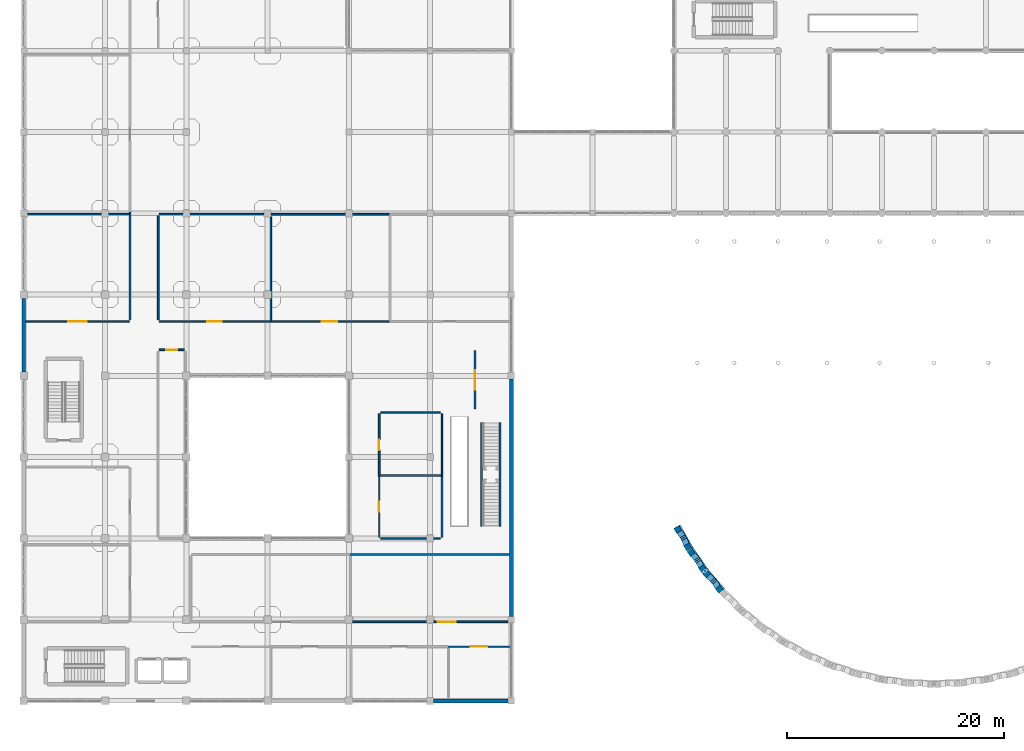
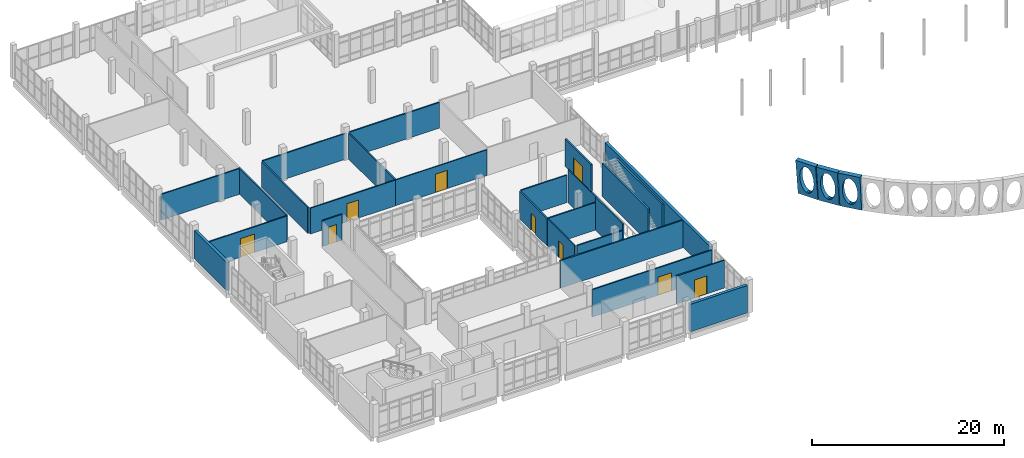
# One storey, part 139 of 164: 29 walls, 9 doors, 12 openings.
"""IFC4 building model written with IfcOpenShell, lengths in metres."""

from ifc_helpers import new_model, si_unit, direction, frame, frame_2d, origin, place, context, subcontext, project, spatial, polyline, rectangle, outline, extrude, material, layer, layer_set, type_object, element, fill, save


model = new_model("IFC4")

# Units and contexts
model_context = context("Model", 3, precision=1e-05, world=origin(), true_north=direction((0.0, 1.0)))
body_context = subcontext(model_context, "Body", "Model", "MODEL_VIEW")
ifc_project = project(units=[si_unit("LENGTHUNIT", "METRE"), si_unit("AREAUNIT", "SQUARE_METRE"), si_unit("VOLUMEUNIT", "CUBIC_METRE"), si_unit("PLANEANGLEUNIT", "RADIAN"), si_unit("MASSUNIT", "GRAM", prefix="KILO")], contexts=[model_context])

# Site, building, storey
site_placement = place(None, origin())
site = spatial("IfcSite", under=ifc_project, at=site_placement, CompositionType="ELEMENT")
building_placement = place(site_placement, origin())
building = spatial("IfcBuilding", under=site, at=building_placement, Name="Mawjan Specialist Oncology Clinic", CompositionType="ELEMENT")
storey_placement = place(building_placement, frame((0.0, 0.0, 5.0)))
storey = spatial("IfcBuildingStorey", under=building, at=storey_placement, Name="L01", CompositionType="ELEMENT", Elevation=5.0)

# Walls
ifc_material_1 = material(Name="Precast concrete C40/50", Category="concrete")
ifc_layer_1 = layer(ifc_material_1, 0.35009765625, Name="Precast concrete C40/50", Category="concrete")
ifc_layer_set_1 = layer_set([ifc_layer_1], Name="Precast concrete C40/50")
wall_type_1 = type_object("IfcWallType", Name="EW-350", PredefinedType="SOLIDWALL", material=ifc_layer_set_1)
wall_1_placement = place(storey_placement, frame((45.0, 30.5, 0.0), z_axis=(0.0, 0.0, 1.0), x_axis=(0.0, -1.0, 0.0)))
element("IfcWall", 1, at=wall_1_placement, inside=storey, type_object=wall_type_1, Name="L01 Coral-Limestone Exterior Wall EW-L01-112", PredefinedType="SOLIDWALL", context=body_context, shape_type="SweptSolid", body=[
    extrude(rectangle(XDim=21.89990234375, YDim=0.35009765625, at=frame_2d((10.949951171875, 0.0))), origin(), (0.0, 0.0, 1.0), 3.485107421875),
])
wall_2_placement = place(storey_placement, frame((44.699951171875, 0.800048828125, 0.0), z_axis=(0.0, 0.0, 1.0), x_axis=(-1.0, 0.0, 0.0)))
element("IfcWall", 2, at=wall_2_placement, inside=storey, type_object=wall_type_1, Name="L01 Coral-Limestone Exterior Wall EW-L01-113", PredefinedType="SOLIDWALL", context=body_context, shape_type="SweptSolid", body=[
    extrude(rectangle(XDim=6.875, YDim=0.35009765625, at=frame_2d((3.4375, 0.0))), origin(), (0.0, 0.0, 1.0), 3.485107421875),
])
wall_3_placement = place(storey_placement, frame((0.0, 31.14990234375, 0.0), z_axis=(0.0, 0.0, 1.0), x_axis=(0.0, 1.0, 0.0)))
element("IfcWall", 3, at=wall_3_placement, inside=storey, type_object=wall_type_1, Name="L01 Coral-Limestone Exterior Wall EW-L01-118", PredefinedType="SOLIDWALL", context=body_context, shape_type="SweptSolid", body=[
    extrude(rectangle(XDim=6.800048828125, YDim=0.35009765625, at=frame_2d((3.39990234375, 0.0))), origin(), (0.0, 0.0, 1.0), 3.534912109375),
])

# Wall, opening
ifc_material_2 = material(Name="Concrete C45/55", Category="concrete")
ifc_layer_2 = layer(ifc_material_2, 0.550048828125, Name="Concrete C45/55", Category="concrete")
ifc_layer_set_2 = layer_set([ifc_layer_2], Name="Concrete C45/55")
wall_type_2 = type_object("IfcWallType", Name="EW-ARC550", PredefinedType="SOLIDWALL", material=ifc_layer_set_2)
wall_4_placement = place(storey_placement, frame((61.52197265625, 14.8349609375, 0.0), z_axis=(0.0, 0.0, 1.0), x_axis=(-0.494311253671, 0.869284984625, 0.0)))
wall_4 = element("IfcWall", 4, at=wall_4_placement, inside=storey, type_object=wall_type_2, Name="Curved Stone-Arc Wall L01 Chord 01", PredefinedType="SOLIDWALL", context=body_context, shape_type="SweptSolid", body=[
    extrude(outline(polyline([(-0.27490234375, 0.0), (0.27490234375, 0.0), (0.78759765625, 4.5), (0.23779296875, 4.5), (-0.27490234375, 0.0)])), frame((0.0, 0.0, 0.0), z_axis=(1.0, 0.0, 0.0), x_axis=(0.0, 1.0, 0.0)), (0.0, 0.0, 1.0), 2.40380859375),
])
opening_1_placement = place(wall_4_placement, origin())
element("IfcOpeningElement", 5, at=opening_1_placement, cuts=wall_4, Name="Elliptical sky opening 1", PredefinedType="OPENING", context=body_context, shape_type="SweptSolid", body=[
    extrude(outline(polyline([(2.0419921875, 2.25), (2.02587890625, 2.597900390625), (1.97802734375, 2.932373046875), (1.900390625, 3.240478515625), (1.7958984375, 3.5107421875), (1.66845703125, 3.732421875), (1.5234375, 3.897216796875), (1.36572265625, 3.998779296875), (1.201904296875, 4.032958984375), (1.0380859375, 3.998779296875), (0.88037109375, 3.897216796875), (0.735107421875, 3.732421875), (0.60791015625, 3.5107421875), (0.50341796875, 3.240478515625), (0.42578125, 2.932373046875), (0.3779296875, 2.597900390625), (0.36181640625, 2.25), (0.3779296875, 1.902099609375), (0.42578125, 1.567626953125), (0.50341796875, 1.259521484375), (0.60791015625, 0.9892578125), (0.735107421875, 0.767578125), (0.88037109375, 0.602783203125), (1.0380859375, 0.501220703125), (1.201904296875, 0.467041015625), (1.36572265625, 0.501220703125), (1.5234375, 0.602783203125), (1.66845703125, 0.767578125), (1.7958984375, 0.9892578125), (1.900390625, 1.259521484375), (1.97802734375, 1.567626953125), (2.02587890625, 1.902099609375), (2.0419921875, 2.25)])), frame((0.0, 0.8076171875, 0.0), z_axis=(0.0, -1.0, 0.0), x_axis=(1.0, 0.0, 0.0)), (0.0, 0.0, 1.0), 1.102783203125),
])

wall_5_placement = place(storey_placement, frame((62.912353515625, 12.837646484375, 0.0), z_axis=(0.0, 0.0, 1.0), x_axis=(-0.571784376148, 0.820403941478, 0.0)))
wall_5 = element("IfcWall", 6, at=wall_5_placement, inside=storey, type_object=wall_type_2, Name="Curved Stone-Arc Wall L01 Chord 02", PredefinedType="SOLIDWALL", context=body_context, shape_type="SweptSolid", body=[
    extrude(outline(polyline([(-0.27490234375, 0.0), (0.27490234375, 0.0), (0.78759765625, 4.5), (0.23779296875, 4.5), (-0.27490234375, 0.0)])), frame((0.0, 0.0, 0.0), z_axis=(1.0, 0.0, 0.0), x_axis=(0.0, 1.0, 0.0)), (0.0, 0.0, 1.0), 2.40380859375),
])
opening_2_placement = place(wall_5_placement, origin())
element("IfcOpeningElement", 7, at=opening_2_placement, cuts=wall_5, Name="Elliptical sky opening 1", PredefinedType="OPENING", context=body_context, shape_type="SweptSolid", body=[
    extrude(outline(polyline([(2.0419921875, 2.25), (2.02587890625, 2.597900390625), (1.97802734375, 2.932373046875), (1.900390625, 3.240478515625), (1.7958984375, 3.5107421875), (1.66845703125, 3.732421875), (1.5234375, 3.897216796875), (1.36572265625, 3.998779296875), (1.201904296875, 4.032958984375), (1.0380859375, 3.998779296875), (0.88037109375, 3.897216796875), (0.735107421875, 3.732421875), (0.60791015625, 3.5107421875), (0.50341796875, 3.240478515625), (0.42578125, 2.932373046875), (0.3779296875, 2.597900390625), (0.36181640625, 2.25), (0.3779296875, 1.902099609375), (0.42578125, 1.567626953125), (0.50341796875, 1.259521484375), (0.60791015625, 0.9892578125), (0.735107421875, 0.767578125), (0.88037109375, 0.602783203125), (1.0380859375, 0.501220703125), (1.201904296875, 0.467041015625), (1.36572265625, 0.501220703125), (1.5234375, 0.602783203125), (1.66845703125, 0.767578125), (1.7958984375, 0.9892578125), (1.900390625, 1.259521484375), (1.97802734375, 1.567626953125), (2.02587890625, 1.902099609375), (2.0419921875, 2.25)])), frame((0.0, 0.8076171875, 0.0), z_axis=(0.0, -1.0, 0.0), x_axis=(1.0, 0.0, 0.0)), (0.0, 0.0, 1.0), 1.102783203125),
])

wall_6_placement = place(storey_placement, frame((64.479736328125, 10.97607421875, 0.0), z_axis=(0.0, 0.0, 1.0), x_axis=(-0.644529738011, 0.764579241687, 0.0)))
wall_6 = element("IfcWall", 8, at=wall_6_placement, inside=storey, type_object=wall_type_2, Name="Curved Stone-Arc Wall L01 Chord 03", PredefinedType="SOLIDWALL", context=body_context, shape_type="SweptSolid", body=[
    extrude(outline(polyline([(-0.27490234375, 0.0), (0.27490234375, 0.0), (0.78759765625, 4.5), (0.23779296875, 4.5), (-0.27490234375, 0.0)])), frame((0.0, 0.0, 0.0), z_axis=(1.0, 0.0, 0.0), x_axis=(0.0, 1.0, 0.0)), (0.0, 0.0, 1.0), 2.40380859375),
])
opening_3_placement = place(wall_6_placement, origin())
element("IfcOpeningElement", 9, at=opening_3_placement, cuts=wall_6, Name="Elliptical sky opening 1", PredefinedType="OPENING", context=body_context, shape_type="SweptSolid", body=[
    extrude(outline(polyline([(2.0419921875, 2.25), (2.02587890625, 2.597900390625), (1.97802734375, 2.932373046875), (1.900390625, 3.240478515625), (1.7958984375, 3.5107421875), (1.66845703125, 3.732421875), (1.5234375, 3.897216796875), (1.36572265625, 3.998779296875), (1.201904296875, 4.032958984375), (1.0380859375, 3.998779296875), (0.88037109375, 3.897216796875), (0.735107421875, 3.732421875), (0.60791015625, 3.5107421875), (0.50341796875, 3.240478515625), (0.42578125, 2.932373046875), (0.3779296875, 2.597900390625), (0.36181640625, 2.25), (0.3779296875, 1.902099609375), (0.42578125, 1.567626953125), (0.50341796875, 1.259521484375), (0.60791015625, 0.9892578125), (0.735107421875, 0.767578125), (0.88037109375, 0.602783203125), (1.0380859375, 0.501220703125), (1.201904296875, 0.467041015625), (1.36572265625, 0.501220703125), (1.5234375, 0.602783203125), (1.66845703125, 0.767578125), (1.7958984375, 0.9892578125), (1.900390625, 1.259521484375), (1.97802734375, 1.567626953125), (2.02587890625, 1.902099609375), (2.0419921875, 2.25)])), frame((0.0, 0.8076171875, 0.0), z_axis=(0.0, -1.0, 0.0), x_axis=(1.0, 0.0, 0.0)), (0.0, 0.0, 1.0), 1.102783203125),
])

# Wall, opening, door
ifc_material_3 = material(Name="Moisture-resistant washroom partition", Category="gypsum")
ifc_layer_3 = layer(ifc_material_3, 0.125, Name="Moisture-resistant washroom partition", Category="gypsum")
ifc_layer_set_3 = layer_set([ifc_layer_3], Name="Moisture-resistant washroom partition")
wall_type_3 = type_object("IfcWallType", Name="WP-125", PredefinedType="PARTITIONING", material=ifc_layer_set_3)
wall_7_placement = place(storey_placement, frame((22.72705078125, 35.800048828125, 0.0), z_axis=(0.0, 0.0, 1.0), x_axis=(1.0, 0.0, 0.0)))
wall_7 = element("IfcWall", 10, at=wall_7_placement, inside=storey, type_object=wall_type_3, Name="L01 Interior Partition W-INT-L01-107-C", PredefinedType="PARTITIONING", context=body_context, shape_type="SweptSolid", body=[
    extrude(rectangle(XDim=10.988037109375, YDim=0.125, at=frame_2d((5.494140625, 0.0))), origin(), (0.0, 0.0, 1.0), 3.264892578125),
])
opening_4_placement = place(wall_7_placement, frame((4.77392578125, 0.0, 0.0)))
opening_4 = element("IfcOpeningElement", 11, at=opening_4_placement, cuts=wall_7, Name="Opening DM-CT", PredefinedType="OPENING", context=body_context, shape_type="SweptSolid", body=[
    extrude(rectangle(XDim=1.43994140625, YDim=2.320068359375, at=frame_2d((0.719970703125, 1.16015625))), frame((0.0, 0.074462890625, 0.0), z_axis=(0.0, -1.0, 0.0), x_axis=(1.0, 0.0, 0.0)), (0.0, 0.0, 1.0), 0.14892578125),
])
ifc_material_4 = material(Name="Acoustic laminate hospital door leaf", Category="wood")
door_type_1 = type_object("IfcDoorType", Name="DM-CT", OperationType="NOTDEFINED", PredefinedType="DOOR", material=ifc_material_4)
door_1_placement = place(opening_4_placement, origin())
door_1 = element("IfcDoor", 12, at=door_1_placement, inside=storey, type_object=door_type_1, Name="L01 Cardiology Consulting Room Door", OperationType="SINGLE_SWING_RIGHT", OverallHeight=2.320068359375, OverallWidth=1.43994140625, PredefinedType="DOOR", context=body_context, shape_type="SweptSolid", body=[
    extrude(rectangle(XDim=1.43994140625, YDim=2.320068359375, at=frame_2d((0.719970703125, 1.16015625))), frame((0.0, 0.02490234375, 0.0), z_axis=(0.0, -1.0, 0.0), x_axis=(1.0, 0.0, 0.0)), (0.0, 0.0, 1.0), 0.050048828125),
])
fill(opening_4, door_1)

wall_8_placement = place(storey_placement, frame((32.800048828125, 15.885009765625, 0.0), z_axis=(0.0, 0.0, 1.0), x_axis=(0.0, 1.0, 0.0)))
wall_8 = element("IfcWall", 13, at=wall_8_placement, inside=storey, type_object=wall_type_3, Name="L01 Interior Partition W-INT-L01-109-V", PredefinedType="PARTITIONING", context=body_context, shape_type="SweptSolid", body=[
    extrude(rectangle(XDim=5.6298828125, YDim=0.125, at=frame_2d((2.81494140625, 0.0))), origin(), (0.0, 0.0, 1.0), 3.485107421875),
])
opening_5_placement = place(wall_8_placement, frame((2.35498046875, 0.0, 0.0)))
opening_5 = element("IfcOpeningElement", 14, at=opening_5_placement, cuts=wall_8, Name="Opening DI-92", PredefinedType="OPENING", context=body_context, shape_type="SweptSolid", body=[
    extrude(rectangle(XDim=0.919921875, YDim=2.10009765625, at=frame_2d((0.4599609375, 1.050048828125))), frame((0.0, 0.074462890625, 0.0), z_axis=(0.0, -1.0, 0.0), x_axis=(1.0, 0.0, 0.0)), (0.0, 0.0, 1.0), 0.14892578125),
])
ifc_material_5 = material(Name="Acoustic laminate hospital door leaf", Category="wood")
door_type_2 = type_object("IfcDoorType", Name="DI-92", OperationType="NOTDEFINED", PredefinedType="DOOR", material=ifc_material_5)
door_2_placement = place(opening_5_placement, origin())
door_2 = element("IfcDoor", 15, at=door_2_placement, inside=storey, type_object=door_type_2, Name="L01 Holter Monitoring Room Door", OperationType="SINGLE_SWING_LEFT", OverallHeight=2.10009765625, OverallWidth=0.919921875, PredefinedType="DOOR", context=body_context, shape_type="SweptSolid", body=[
    extrude(rectangle(XDim=0.919921875, YDim=2.10009765625, at=frame_2d((0.4599609375, 1.050048828125))), frame((0.0, 0.02490234375, 0.0), z_axis=(0.0, -1.0, 0.0), x_axis=(1.0, 0.0, 0.0)), (0.0, 0.0, 1.0), 0.050048828125),
])
fill(opening_5, door_2)

# Wall
wall_9_placement = place(storey_placement, frame((38.60009765625, 21.527099609375, 0.0), z_axis=(0.0, 0.0, 1.0), x_axis=(0.0, 1.0, 0.0)))
element("IfcWall", 16, at=wall_9_placement, inside=storey, type_object=wall_type_3, Name="L01 Interior Partition W-INT-L01-110-VR", PredefinedType="PARTITIONING", context=body_context, shape_type="SweptSolid", body=[
    extrude(rectangle(XDim=5.787841796875, YDim=0.125, at=frame_2d((2.89404296875, 0.0))), origin(), (0.0, 0.0, 1.0), 4.199951171875),
])

# Wall, opening, door
ifc_material_6 = material(Name="Acoustic gypsum clinical partition", Category="gypsum")
ifc_layer_4 = layer(ifc_material_6, 0.14990234375, Name="Acoustic gypsum clinical partition", Category="gypsum")
ifc_layer_set_4 = layer_set([ifc_layer_4], Name="Acoustic gypsum clinical partition")
wall_type_4 = type_object("IfcWallType", Name="WP-150", PredefinedType="PARTITIONING", material=ifc_layer_set_4)
wall_10_placement = place(storey_placement, frame((30.362060546875, 8.10009765625, 0.0), z_axis=(0.0, 0.0, 1.0), x_axis=(1.0, 0.0, 0.0)))
wall_10 = element("IfcWall", 17, at=wall_10_placement, inside=storey, type_object=wall_type_4, Name="L01 Interior Partition W-INT-L01-0122-C", PredefinedType="PARTITIONING", context=body_context, shape_type="SweptSolid", body=[
    extrude(rectangle(XDim=14.325927734375, YDim=0.14990234375, at=frame_2d((7.1630859375, 0.0))), origin(), (0.0, 0.0, 1.0), 3.485107421875),
])
opening_6_placement = place(wall_10_placement, frame((7.859130859375, 0.0, 0.0)))
opening_6 = element("IfcOpeningElement", 18, at=opening_6_placement, cuts=wall_10, Name="Opening DC-165", PredefinedType="OPENING", context=body_context, shape_type="SweptSolid", body=[
    extrude(rectangle(XDim=1.64990234375, YDim=2.320068359375, at=frame_2d((0.824951171875, 1.16015625))), frame((0.0, 0.0869140625, 0.0), z_axis=(0.0, -1.0, 0.0), x_axis=(1.0, 0.0, 0.0)), (0.0, 0.0, 1.0), 0.173828125),
])
ifc_material_7 = material(Name="Acoustic laminate hospital door leaf", Category="wood")
door_type_3 = type_object("IfcDoorType", Name="DC-165", OperationType="NOTDEFINED", PredefinedType="DOOR", material=ifc_material_7)
door_3_placement = place(opening_6_placement, origin())
door_3 = element("IfcDoor", 19, at=door_3_placement, inside=storey, type_object=door_type_3, Name="L01 Oncology Nurse Counseling Room Door", OperationType="SINGLE_SWING_RIGHT", OverallHeight=2.320068359375, OverallWidth=1.64990234375, PredefinedType="DOOR", context=body_context, shape_type="SweptSolid", body=[
    extrude(rectangle(XDim=1.64990234375, YDim=2.320068359375, at=frame_2d((0.824951171875, 1.16015625))), frame((0.0, 0.02490234375, 0.0), z_axis=(0.0, -1.0, 0.0), x_axis=(1.0, 0.0, 0.0)), (0.0, 0.0, 1.0), 0.050048828125),
])
fill(opening_6, door_3)

wall_11_placement = place(storey_placement, frame((0.18701171875, 35.800048828125, 0.0), z_axis=(0.0, 0.0, 1.0), x_axis=(1.0, 0.0, 0.0)))
wall_11 = element("IfcWall", 20, at=wall_11_placement, inside=storey, type_object=wall_type_4, Name="L01 Interior Partition W-INT-L01-105-C", PredefinedType="PARTITIONING", context=body_context, shape_type="SweptSolid", body=[
    extrude(rectangle(XDim=9.528076171875, YDim=0.14990234375, at=frame_2d((4.76416015625, 0.0))), origin(), (0.0, 0.0, 1.0), 3.264892578125),
])
opening_7_placement = place(wall_11_placement, frame((3.904052734375, 0.0, 0.0)))
opening_7 = element("IfcOpeningElement", 21, at=opening_7_placement, cuts=wall_11, Name="Opening DC-172", PredefinedType="OPENING", context=body_context, shape_type="SweptSolid", body=[
    extrude(rectangle(XDim=1.719970703125, YDim=2.340087890625, at=frame_2d((0.85986328125, 1.169921875))), frame((0.0, 0.0869140625, 0.0), z_axis=(0.0, -1.0, 0.0), x_axis=(1.0, 0.0, 0.0)), (0.0, 0.0, 1.0), 0.173828125),
])
ifc_material_8 = material(Name="Acoustic laminate hospital door leaf", Category="wood")
door_type_4 = type_object("IfcDoorType", Name="DC-172", OperationType="NOTDEFINED", PredefinedType="DOOR", material=ifc_material_8)
door_4_placement = place(opening_7_placement, origin())
door_4 = element("IfcDoor", 22, at=door_4_placement, inside=storey, type_object=door_type_4, Name="L01 Cardio-Oncology Echocardiography Room Door", OperationType="SINGLE_SWING_LEFT", OverallHeight=2.340087890625, OverallWidth=1.719970703125, PredefinedType="DOOR", context=body_context, shape_type="SweptSolid", body=[
    extrude(rectangle(XDim=1.719970703125, YDim=2.340087890625, at=frame_2d((0.85986328125, 1.169921875))), frame((0.0, 0.02490234375, 0.0), z_axis=(0.0, -1.0, 0.0), x_axis=(1.0, 0.0, 0.0)), (0.0, 0.0, 1.0), 0.050048828125),
])
fill(opening_7, door_4)

wall_12_placement = place(storey_placement, frame((12.485107421875, 35.800048828125, 0.0), z_axis=(0.0, 0.0, 1.0), x_axis=(1.0, 0.0, 0.0)))
wall_12 = element("IfcWall", 23, at=wall_12_placement, inside=storey, type_object=wall_type_4, Name="L01 Interior Partition W-INT-L01-106-C", PredefinedType="PARTITIONING", context=body_context, shape_type="SweptSolid", body=[
    extrude(rectangle(XDim=10.22998046875, YDim=0.14990234375, at=frame_2d((5.114990234375, 0.0))), origin(), (0.0, 0.0, 1.0), 3.264892578125),
])
opening_8_placement = place(wall_12_placement, frame((4.425048828125, 0.0, 0.0)))
opening_8 = element("IfcOpeningElement", 24, at=opening_8_placement, cuts=wall_12, Name="Opening DM-MRI", PredefinedType="OPENING", context=body_context, shape_type="SweptSolid", body=[
    extrude(rectangle(XDim=1.3798828125, YDim=2.300048828125, at=frame_2d((0.68994140625, 1.14990234375))), frame((0.0, 0.0869140625, 0.0), z_axis=(0.0, -1.0, 0.0), x_axis=(1.0, 0.0, 0.0)), (0.0, 0.0, 1.0), 0.173828125),
])
ifc_material_9 = material(Name="Acoustic laminate hospital door leaf", Category="wood")
door_type_5 = type_object("IfcDoorType", Name="DM-MRI", OperationType="NOTDEFINED", PredefinedType="DOOR", material=ifc_material_9)
door_5_placement = place(opening_8_placement, origin())
door_5 = element("IfcDoor", 25, at=door_5_placement, inside=storey, type_object=door_type_5, Name="L01 Stress ECG Examination Suite Door", OperationType="SINGLE_SWING_LEFT", OverallHeight=2.300048828125, OverallWidth=1.3798828125, PredefinedType="DOOR", context=body_context, shape_type="SweptSolid", body=[
    extrude(rectangle(XDim=1.3798828125, YDim=2.300048828125, at=frame_2d((0.68994140625, 1.14990234375))), frame((0.0, 0.02490234375, 0.0), z_axis=(0.0, -1.0, 0.0), x_axis=(1.0, 0.0, 0.0)), (0.0, 0.0, 1.0), 0.050048828125),
])
fill(opening_8, door_5)

# Walls
wall_13_placement = place(storey_placement, frame((0.33203125, 45.719970703125, 0.0), z_axis=(0.0, 0.0, 1.0), x_axis=(1.0, 0.0, 0.0)))
element("IfcWall", 26, at=wall_13_placement, inside=storey, type_object=wall_type_4, Name="L01 Interior Partition W-INT-L01-105-R", PredefinedType="PARTITIONING", context=body_context, shape_type="SweptSolid", body=[
    extrude(rectangle(XDim=9.383056640625, YDim=0.14990234375, at=frame_2d((4.69140625, 0.0))), origin(), (0.0, 0.0, 1.0), 3.264892578125),
])
wall_14_placement = place(storey_placement, frame((12.485107421875, 45.719970703125, 0.0), z_axis=(0.0, 0.0, 1.0), x_axis=(1.0, 0.0, 0.0)))
element("IfcWall", 27, at=wall_14_placement, inside=storey, type_object=wall_type_4, Name="L01 Interior Partition W-INT-L01-106-R", PredefinedType="PARTITIONING", context=body_context, shape_type="SweptSolid", body=[
    extrude(rectangle(XDim=10.06298828125, YDim=0.14990234375, at=frame_2d((5.031494140625, 0.0))), origin(), (0.0, 0.0, 1.0), 3.264892578125),
])
wall_15_placement = place(storey_placement, frame((22.800048828125, 35.87451171875, 0.0), z_axis=(0.0, 0.0, 1.0), x_axis=(0.0, 1.0, 0.0)))
element("IfcWall", 28, at=wall_15_placement, inside=storey, type_object=wall_type_4, Name="L01 Interior Partition W-INT-L01-106-D", PredefinedType="PARTITIONING", context=body_context, shape_type="SweptSolid", body=[
    extrude(rectangle(XDim=9.58837890625, YDim=0.14990234375, at=frame_2d((4.794189453125, 0.0))), origin(), (0.0, 0.0, 1.0), 3.264892578125),
])
wall_16_placement = place(storey_placement, frame((32.965087890625, 15.800048828125, 0.0), z_axis=(0.0, 0.0, 1.0), x_axis=(1.0, 0.0, 0.0)))
element("IfcWall", 29, at=wall_16_placement, inside=storey, type_object=wall_type_4, Name="L01 Interior Partition W-INT-L01-109-H0", PredefinedType="PARTITIONING", context=body_context, shape_type="SweptSolid", body=[
    extrude(rectangle(XDim=5.469970703125, YDim=0.14990234375, at=frame_2d((2.73486328125, 0.0))), origin(), (0.0, 0.0, 1.0), 3.485107421875),
])
wall_17_placement = place(storey_placement, frame((32.89208984375, 21.60009765625, 0.0), z_axis=(0.0, 0.0, 1.0), x_axis=(1.0, 0.0, 0.0)))
element("IfcWall", 30, at=wall_17_placement, inside=storey, type_object=wall_type_4, Name="L01 Interior Partition W-INT-L01-109-H", PredefinedType="PARTITIONING", context=body_context, shape_type="SweptSolid", body=[
    extrude(rectangle(XDim=5.63330078125, YDim=0.14990234375, at=frame_2d((2.816650390625, 0.0))), origin(), (0.0, 0.0, 1.0), 3.485107421875),
])
wall_18_placement = place(storey_placement, frame((32.965087890625, 27.39990234375, 0.0), z_axis=(0.0, 0.0, 1.0), x_axis=(1.0, 0.0, 0.0)))
element("IfcWall", 31, at=wall_18_placement, inside=storey, type_object=wall_type_4, Name="L01 Interior Partition W-INT-L01-110-H", PredefinedType="PARTITIONING", context=body_context, shape_type="SweptSolid", body=[
    extrude(rectangle(XDim=5.469970703125, YDim=0.14990234375, at=frame_2d((2.73486328125, 0.0))), origin(), (0.0, 0.0, 1.0), 3.485107421875),
])

# Wall, opening, door
ifc_material_10 = material(Name="Acoustic clinical twin-stud partition", Category="gypsum")
ifc_layer_5 = layer(ifc_material_10, 0.159912109375, Name="Acoustic clinical twin-stud partition", Category="gypsum")
ifc_layer_set_5 = layer_set([ifc_layer_5], Name="Acoustic clinical twin-stud partition")
wall_type_5 = type_object("IfcWallType", Name="WP-160", PredefinedType="PARTITIONING", material=ifc_layer_set_5)
wall_19_placement = place(storey_placement, frame((39.126953125, 5.800048828125, 0.0), z_axis=(0.0, 0.0, 1.0), x_axis=(1.0, 0.0, 0.0)))
wall_19 = element("IfcWall", 32, at=wall_19_placement, inside=storey, type_object=wall_type_5, Name="L01 Interior Partition W-INT-L01-104-C", PredefinedType="PARTITIONING", context=body_context, shape_type="SweptSolid", body=[
    extrude(rectangle(XDim=5.77099609375, YDim=0.159912109375, at=frame_2d((2.885498046875, 0.0))), origin(), (0.0, 0.0, 1.0), 3.534912109375),
])
opening_9_placement = place(wall_19_placement, frame((2.135498046875, 0.0, 0.0)))
opening_9 = element("IfcOpeningElement", 33, at=opening_9_placement, cuts=wall_19, Name="Opening DC-150", PredefinedType="OPENING", context=body_context, shape_type="SweptSolid", body=[
    extrude(rectangle(XDim=1.5, YDim=2.280029296875, at=frame_2d((0.75, 1.14013671875))), frame((0.0, 0.092041015625, 0.0), z_axis=(0.0, -1.0, 0.0), x_axis=(1.0, 0.0, 0.0)), (0.0, 0.0, 1.0), 0.183837890625),
])
ifc_material_11 = material(Name="Acoustic laminate hospital door leaf", Category="wood")
door_type_6 = type_object("IfcDoorType", Name="DC-150", OperationType="NOTDEFINED", PredefinedType="DOOR", material=ifc_material_11)
door_6_placement = place(opening_9_placement, origin())
door_6 = element("IfcDoor", 34, at=door_6_placement, inside=storey, type_object=door_type_6, Name="L01 Accessible Toilet and Washroom Door", OperationType="SINGLE_SWING_RIGHT", OverallHeight=2.280029296875, OverallWidth=1.5, PredefinedType="DOOR", context=body_context, shape_type="SweptSolid", body=[
    extrude(rectangle(XDim=1.5, YDim=2.280029296875, at=frame_2d((0.75, 1.14013671875))), frame((0.0, 0.02490234375, 0.0), z_axis=(0.0, -1.0, 0.0), x_axis=(1.0, 0.0, 0.0)), (0.0, 0.0, 1.0), 0.050048828125),
])
fill(opening_9, door_6)

wall_20_placement = place(storey_placement, frame((12.485107421875, 33.199951171875, 0.0), z_axis=(0.0, 0.0, 1.0), x_axis=(1.0, 0.0, 0.0)))
wall_20 = element("IfcWall", 35, at=wall_20_placement, inside=storey, type_object=wall_type_5, Name="L01 Interior Partition W-INT-L01-0141-C", PredefinedType="PARTITIONING", context=body_context, shape_type="SweptSolid", body=[
    extrude(rectangle(XDim=2.329833984375, YDim=0.159912109375, at=frame_2d((1.1650390625, 0.0))), origin(), (0.0, 0.0, 1.0), 3.264892578125),
])
opening_10_placement = place(wall_20_placement, frame((0.6650390625, 0.0, 0.0)))
opening_10 = element("IfcOpeningElement", 36, at=opening_10_placement, cuts=wall_20, Name="Opening DA-100", PredefinedType="OPENING", context=body_context, shape_type="SweptSolid", body=[
    extrude(rectangle(XDim=1.0, YDim=2.219970703125, at=frame_2d((0.5, 1.10986328125))), frame((0.0, 0.092041015625, 0.0), z_axis=(0.0, -1.0, 0.0), x_axis=(1.0, 0.0, 0.0)), (0.0, 0.0, 1.0), 0.183837890625),
])
ifc_material_12 = material(Name="Acoustic laminate hospital door leaf", Category="wood")
door_type_7 = type_object("IfcDoorType", Name="DA-100", OperationType="NOTDEFINED", PredefinedType="DOOR", material=ifc_material_12)
door_7_placement = place(opening_10_placement, origin())
door_7 = element("IfcDoor", 37, at=door_7_placement, inside=storey, type_object=door_type_7, Name="L01 Clinical Case Conference Room Door", OperationType="SINGLE_SWING_LEFT", OverallHeight=2.219970703125, OverallWidth=1.0, PredefinedType="DOOR", context=body_context, shape_type="SweptSolid", body=[
    extrude(rectangle(XDim=1.0, YDim=2.219970703125, at=frame_2d((0.5, 1.10986328125))), frame((0.0, 0.02490234375, 0.0), z_axis=(0.0, -1.0, 0.0), x_axis=(1.0, 0.0, 0.0)), (0.0, 0.0, 1.0), 0.050048828125),
])
fill(opening_10, door_7)

wall_21_placement = place(storey_placement, frame((32.800048828125, 21.527099609375, 0.0), z_axis=(0.0, 0.0, 1.0), x_axis=(0.0, 1.0, 0.0)))
wall_21 = element("IfcWall", 38, at=wall_21_placement, inside=storey, type_object=wall_type_5, Name="L01 Interior Partition W-INT-L01-110-V", PredefinedType="PARTITIONING", context=body_context, shape_type="SweptSolid", body=[
    extrude(rectangle(XDim=5.787841796875, YDim=0.159912109375, at=frame_2d((2.89404296875, 0.0))), origin(), (0.0, 0.0, 1.0), 3.485107421875),
])
opening_11_placement = place(wall_21_placement, frame((2.404052734375, 0.0, 0.0)))
opening_11 = element("IfcOpeningElement", 39, at=opening_11_placement, cuts=wall_21, Name="Opening DI-98", PredefinedType="OPENING", context=body_context, shape_type="SweptSolid", body=[
    extrude(rectangle(XDim=0.97998046875, YDim=2.1201171875, at=frame_2d((0.489990234375, 1.06005859375))), frame((0.0, 0.092041015625, 0.0), z_axis=(0.0, -1.0, 0.0), x_axis=(1.0, 0.0, 0.0)), (0.0, 0.0, 1.0), 0.183837890625),
])
ifc_material_13 = material(Name="Acoustic laminate hospital door leaf", Category="wood")
door_type_8 = type_object("IfcDoorType", Name="DI-98", OperationType="NOTDEFINED", PredefinedType="DOOR", material=ifc_material_13)
door_8_placement = place(opening_11_placement, origin())
door_8 = element("IfcDoor", 40, at=door_8_placement, inside=storey, type_object=door_type_8, Name="L01 Vascular Ultrasound Clinic Door", OperationType="SINGLE_SWING_RIGHT", OverallHeight=2.1201171875, OverallWidth=0.97998046875, PredefinedType="DOOR", context=body_context, shape_type="SweptSolid", body=[
    extrude(rectangle(XDim=0.97998046875, YDim=2.1201171875, at=frame_2d((0.489990234375, 1.06005859375))), frame((0.0, 0.02490234375, 0.0), z_axis=(0.0, -1.0, 0.0), x_axis=(1.0, 0.0, 0.0)), (0.0, 0.0, 1.0), 0.050048828125),
])
fill(opening_11, door_8)

# Walls
wall_22_placement = place(storey_placement, frame((30.0869140625, 14.300048828125, 0.0), z_axis=(0.0, 0.0, 1.0), x_axis=(1.0, 0.0, 0.0)))
element("IfcWall", 41, at=wall_22_placement, inside=storey, type_object=wall_type_5, Name="L01 Interior Partition W-INT-L01-0122-R", PredefinedType="PARTITIONING", context=body_context, shape_type="SweptSolid", body=[
    extrude(rectangle(XDim=14.72607421875, YDim=0.159912109375, at=frame_2d((7.363037109375, 0.0))), origin(), (0.0, 0.0, 1.0), 3.485107421875),
])
wall_23_placement = place(storey_placement, frame((22.8369140625, 45.719970703125, 0.0), z_axis=(0.0, 0.0, 1.0), x_axis=(1.0, 0.0, 0.0)))
element("IfcWall", 42, at=wall_23_placement, inside=storey, type_object=wall_type_5, Name="L01 Interior Partition W-INT-L01-107-R", PredefinedType="PARTITIONING", context=body_context, shape_type="SweptSolid", body=[
    extrude(rectangle(XDim=10.878173828125, YDim=0.159912109375, at=frame_2d((5.43896484375, 0.0))), origin(), (0.0, 0.0, 1.0), 3.264892578125),
])
wall_24_placement = place(storey_placement, frame((38.60009765625, 15.885009765625, 0.0), z_axis=(0.0, 0.0, 1.0), x_axis=(0.0, 1.0, 0.0)))
element("IfcWall", 43, at=wall_24_placement, inside=storey, type_object=wall_type_5, Name="L01 Interior Partition W-INT-L01-109-VR", PredefinedType="PARTITIONING", context=body_context, shape_type="SweptSolid", body=[
    extrude(rectangle(XDim=5.6298828125, YDim=0.159912109375, at=frame_2d((2.81494140625, 0.0))), origin(), (0.0, 0.0, 1.0), 4.199951171875),
])
wall_25_placement = place(storey_placement, frame((9.800048828125, 35.965087890625, 0.0), z_axis=(0.0, 0.0, 1.0), x_axis=(0.0, 1.0, 0.0)))
element("IfcWall", 44, at=wall_25_placement, inside=storey, type_object=wall_type_5, Name="L01 Interior Partition W-INT-L01-105-D", PredefinedType="PARTITIONING", context=body_context, shape_type="SweptSolid", body=[
    extrude(rectangle(XDim=9.907958984375, YDim=0.159912109375, at=frame_2d((4.9541015625, 0.0))), origin(), (0.0, 0.0, 1.0), 3.264892578125),
])
wall_26_placement = place(storey_placement, frame((12.39990234375, 35.965087890625, 0.0), z_axis=(0.0, 0.0, 1.0), x_axis=(0.0, 1.0, 0.0)))
element("IfcWall", 45, at=wall_26_placement, inside=storey, type_object=wall_type_5, Name="L01 Interior Partition W-INT-L01-106-D0", PredefinedType="PARTITIONING", context=body_context, shape_type="SweptSolid", body=[
    extrude(rectangle(XDim=9.58984375, YDim=0.159912109375, at=frame_2d((4.794921875, 0.0))), origin(), (0.0, 0.0, 1.0), 3.264892578125),
])
ifc_material_14 = material(Name="Insulated fire-rated gypsum stud partition", Category="gypsum")
ifc_layer_6 = layer(ifc_material_14, 0.199951171875, Name="Insulated fire-rated gypsum stud partition", Category="gypsum")
ifc_layer_set_6 = layer_set([ifc_layer_6], Name="Insulated fire-rated gypsum stud partition")
wall_type_6 = type_object("IfcWallType", Name="WS-60", PredefinedType="PARTITIONING", material=ifc_layer_set_6)
for number, where, z_axis, x_axis, name in (
    (46, (42.2548828125, 16.89990234375, 0.0), (0.0, 0.0, 1.0), (0.0, 1.0, 0.0), "ST-11 Communicating Stair Flank Wall W"),
    (47, (43.945068359375, 16.89990234375, 0.0), (0.0, 0.0, 1.0), (0.0, 1.0, 0.0), "ST-11 Communicating Stair Flank Wall E"),
):
    element("IfcWall", number, at=place(storey_placement, frame(where, z_axis=z_axis, x_axis=x_axis)), inside=storey, type_object=wall_type_6, Name=name, PredefinedType="PARTITIONING", context=body_context, shape_type="SweptSolid", body=[
        extrude(rectangle(XDim=9.60009765625, YDim=0.199951171875, at=frame_2d((4.800048828125, 0.0))), origin(), (0.0, 0.0, 1.0), 4.199951171875),
    ])

# Wall, opening, door
wall_27_placement = place(storey_placement, frame((41.64990234375, 27.735107421875, 0.0), z_axis=(0.0, 0.0, 1.0), x_axis=(0.0, 1.0, 0.0)))
wall_27 = element("IfcWall", 48, at=wall_27_placement, inside=storey, type_object=wall_type_6, Name="L01 Interior Partition W-SMK-L01-V4ST", PredefinedType="PARTITIONING", context=body_context, shape_type="SweptSolid", body=[
    extrude(rectangle(XDim=5.3798828125, YDim=0.199951171875, at=frame_2d((2.68994140625, 0.0))), origin(), (0.0, 0.0, 1.0), 3.485107421875),
])
opening_12_placement = place(wall_27_placement, frame((1.7900390625, 0.0, 0.0)))
opening_12 = element("IfcOpeningElement", 49, at=opening_12_placement, cuts=wall_27, Name="Opening DS-180", PredefinedType="OPENING", context=body_context, shape_type="SweptSolid", body=[
    extrude(rectangle(XDim=1.800048828125, YDim=2.14990234375, at=frame_2d((0.89990234375, 1.074951171875))), frame((0.0, 0.112060546875, 0.0), z_axis=(0.0, -1.0, 0.0), x_axis=(1.0, 0.0, 0.0)), (0.0, 0.0, 1.0), 0.223876953125),
])
ifc_material_15 = material(Name="Stainless-steel fire-rated hospital door", Category="steel")
door_type_9 = type_object("IfcDoorType", Name="DS-180", OperationType="DOUBLE_DOOR_SINGLE_SWING", PredefinedType="DOOR", material=ifc_material_15)
door_9_placement = place(opening_12_placement, origin())
door_9 = element("IfcDoor", 50, at=door_9_placement, inside=storey, type_object=door_type_9, Name="L01 Communicating Stair Lobby Smoke Door", OperationType="DOUBLE_DOOR_SINGLE_SWING", OverallHeight=2.14990234375, OverallWidth=1.800048828125, PredefinedType="DOOR", context=body_context, shape_type="SweptSolid", body=[
    extrude(rectangle(XDim=1.800048828125, YDim=2.14990234375, at=frame_2d((0.89990234375, 1.074951171875))), frame((0.0, 0.02490234375, 0.0), z_axis=(0.0, -1.0, 0.0), x_axis=(1.0, 0.0, 0.0)), (0.0, 0.0, 1.0), 0.050048828125),
])
fill(opening_12, door_9)

save(model, "model.ifc")
